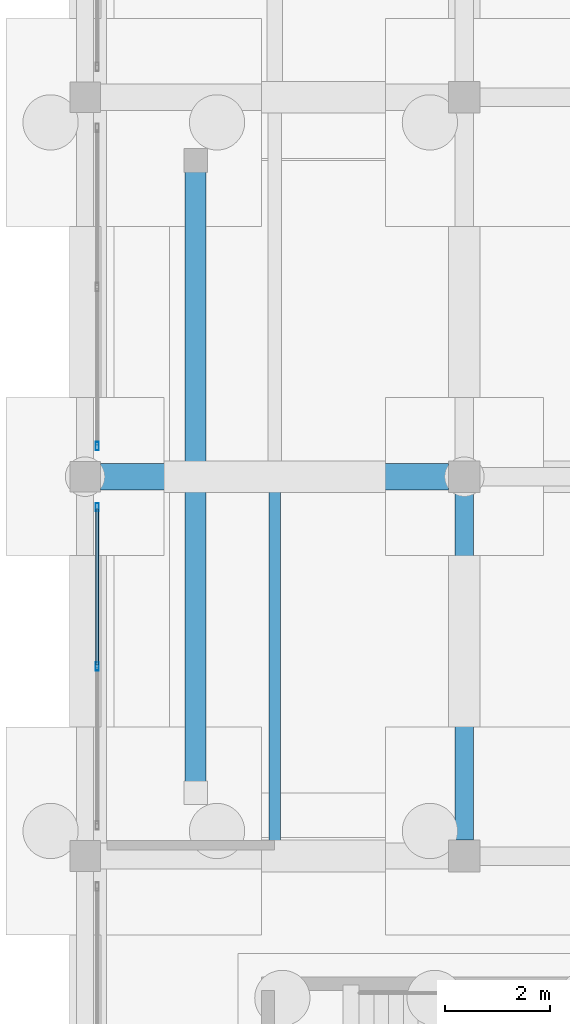
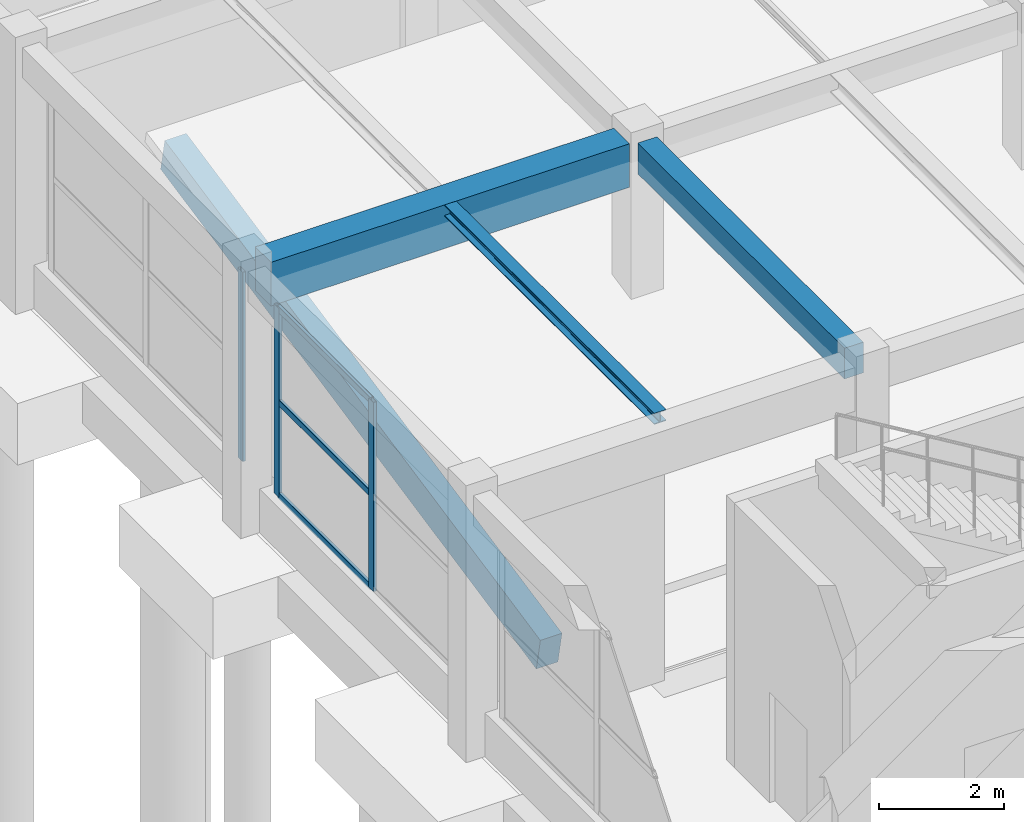
# One storey, part 50 of 91: 6 members, 4 beams, 2 elements without a shape of their own.
"""IFC4 building model written with IfcOpenShell, lengths in metres."""

from ifc_helpers import new_model, si_unit, direction, frame, origin, origin_2d, place, context, subcontext, project, spatial, rectangle, hollow_rectangle, i_section, extrude, material, material_profile, profile_set, type_object, element, aggregate, save


model = new_model("IFC4")

# Units and contexts
model_context = context("Model", 3, precision=1e-05, world=origin(), true_north=direction((0.0, 1.0)))
body_context = subcontext(model_context, "Body", "Model", "MODEL_VIEW")
ifc_project = project(units=[si_unit("LENGTHUNIT", "METRE"), si_unit("AREAUNIT", "SQUARE_METRE"), si_unit("VOLUMEUNIT", "CUBIC_METRE"), si_unit("PLANEANGLEUNIT", "RADIAN"), si_unit("MASSUNIT", "GRAM", prefix="KILO")], contexts=[model_context])

# Site, building, storey
site_placement = place(None, origin())
site = spatial("IfcSite", under=ifc_project, at=site_placement, CompositionType="ELEMENT")
building_placement = place(site_placement, origin())
building = spatial("IfcBuilding", under=site, at=building_placement, Name="Bramveld Media Centre", CompositionType="ELEMENT")
storey_placement = place(building_placement, origin())
storey = spatial("IfcBuildingStorey", under=building, at=storey_placement, Name="L00", CompositionType="ELEMENT", Elevation=0.0)

# Beams
ifc_material_1 = material(Name="Concrete C40/50", Category="concrete")
ifc_material_profile_1 = material_profile(ifc_material_1, rectangle(XDim=0.35009765625, YDim=0.60009765625, at=origin_2d()), Name="RC 350x600")
ifc_profile_set_1 = profile_set([ifc_material_profile_1], Name="Concrete C40/50")
beam_type_1 = type_object("IfcBeamType", Name="BM-INT-RC-350x600", PredefinedType="BEAM", material=ifc_profile_set_1)
beam_1_placement = place(storey_placement, frame((138.39990234375, 46.699951171875, 4.860107421875), z_axis=(0.0, 1.0, 0.0), x_axis=(-1.0, 0.0, 0.0)))
element("IfcBeam", 1, at=beam_1_placement, inside=storey, type_object=beam_type_1, Name="V4 L00 girder Y-481", PredefinedType="BEAM", context=body_context, shape_type="SweptSolid", body=[
    extrude(rectangle(XDim=0.35009765625, YDim=0.60009765625, at=origin_2d()), origin(), (0.0, 0.0, 1.0), 6.60009765625),
])
ifc_material_2 = material(Name="Concrete C40/50", Category="concrete")
ifc_material_profile_2 = material_profile(ifc_material_2, rectangle(XDim=0.39990234375, YDim=0.64990234375, at=origin_2d()), Name="RC 400x650")
ifc_profile_set_2 = profile_set([ifc_material_profile_2], Name="Concrete C40/50")
beam_type_2 = type_object("IfcBeamType", Name="BM-INT-RC-400x650", PredefinedType="BEAM", material=ifc_profile_set_2)
beam_2_placement = place(storey_placement, frame((133.300048828125, 47.60009765625, 0.43505859375), z_axis=(0.0, 0.979466997448, 0.201604565698), x_axis=(-1.0, 0.0, 0.0)))
element("IfcBeam", 2, at=beam_2_placement, inside=storey, type_object=beam_type_2, Name="Screen 7 Raked Seating Slab raker beam 1", PredefinedType="BEAM", context=body_context, shape_type="SweptSolid", body=[
    extrude(rectangle(XDim=0.39990234375, YDim=0.64990234375, at=origin_2d()), origin(), (0.0, 0.0, 1.0), 12.25146484375),
])
ifc_material_3 = material(Name="Concrete C40/50", Category="concrete")
ifc_material_profile_3 = material_profile(ifc_material_3, rectangle(XDim=0.5, YDim=0.85009765625, at=origin_2d()), Name="RC 500x850")
ifc_profile_set_3 = profile_set([ifc_material_profile_3], Name="Concrete C40/50")
beam_type_3 = type_object("IfcBeamType", Name="BM-INT-RC-500x850", PredefinedType="BEAM", material=ifc_profile_set_3)
beam_3_placement = place(storey_placement, frame((131.489990234375, 53.60009765625, 4.735107421875), z_axis=(1.0, 0.0, 0.0), x_axis=(0.0, 1.0, 0.0)))
element("IfcBeam", 3, at=beam_3_placement, inside=storey, type_object=beam_type_3, Name="V4 L00 girder X-462", PredefinedType="BEAM", context=body_context, shape_type="SweptSolid", body=[
    extrude(rectangle(XDim=0.5, YDim=0.85009765625, at=origin_2d()), origin(), (0.0, 0.0, 1.0), 6.610107421875),
])

# Curtain wall, members
ifc_material_4 = material(Name="Thermally broken anodized bronze aluminium unitized curtain wall with solar-control triple glazing", Category="aluminium")
curtain_wall_type = type_object("IfcCurtainWallType", Name="CW-FACV4-6100x3690", PredefinedType="NOTDEFINED", material=ifc_material_4)
curtain_wall_1_placement = place(storey_placement, origin())
curtain_wall_1 = element("IfcCurtainWall", 4, at=curtain_wall_1_placement, inside=storey, type_object=curtain_wall_type, Name="V4 L00 W curtain wall bay 2", PredefinedType="NOTDEFINED")
ifc_material_5 = material(Name="Thermally broken anodized bronze aluminium EN AW-6063 T6 curtain-wall framing", Category="aluminium")
ifc_material_profile_4 = material_profile(ifc_material_5, hollow_rectangle(XDim=0.06005859375, YDim=0.159912109375, WallThickness=0.00390625, InnerFilletRadius=0.00390625, OuterFilletRadius=0.008056640625, at=origin_2d()), Name="AL-MULL 60x160")
ifc_profile_set_4 = profile_set([ifc_material_profile_4], Name="Thermally broken anodized bronze aluminium EN AW-6063 T6 curtain-wall framing")
member_type_1 = type_object("IfcMemberType", Name="CW-MULL-EXT", PredefinedType="MULLION", material=ifc_profile_set_4)
member_1_placement = place(storey_placement, frame((131.429931640625, 50.0, 0.85009765625), z_axis=(0.0, 0.0, 1.0), x_axis=(-1.0, 0.0, 0.0)))
member_1 = element("IfcMember", 5, at=member_1_placement, type_object=member_type_1, Name="CW-FA-6136 mullion 2", PredefinedType="MULLION", context=body_context, shape_type="SweptSolid", body=[
    extrude(hollow_rectangle(XDim=0.06005859375, YDim=0.159912109375, WallThickness=0.00390625, InnerFilletRadius=0.00390625, OuterFilletRadius=0.008056640625, at=origin_2d()), origin(), (0.0, 0.0, 1.0), 3.68994140625),
])
member_2_placement = place(storey_placement, frame((131.429931640625, 53.02001953125, 0.85009765625), z_axis=(0.0, 0.0, 1.0), x_axis=(-1.0, 0.0, 0.0)))
member_2 = element("IfcMember", 6, at=member_2_placement, type_object=member_type_1, Name="CW-FA-6136 mullion 3", PredefinedType="MULLION", context=body_context, shape_type="SweptSolid", body=[
    extrude(hollow_rectangle(XDim=0.06005859375, YDim=0.159912109375, WallThickness=0.00390625, InnerFilletRadius=0.00390625, OuterFilletRadius=0.008056640625, at=origin_2d()), origin(), (0.0, 0.0, 1.0), 3.68994140625),
])

# Curtain wall, member
curtain_wall_2_placement = place(storey_placement, origin())
curtain_wall_2 = element("IfcCurtainWall", 7, at=curtain_wall_2_placement, inside=storey, type_object=curtain_wall_type, Name="V4 L00 W curtain wall bay 3", PredefinedType="NOTDEFINED")
member_3_placement = place(storey_placement, frame((131.429931640625, 54.179931640625, 0.85009765625), z_axis=(0.0, 0.0, 1.0), x_axis=(-1.0, 0.0, 0.0)))
member_3 = element("IfcMember", 8, at=member_3_placement, type_object=member_type_1, Name="CW-FA-6136 mullion 1", PredefinedType="MULLION", context=body_context, shape_type="SweptSolid", body=[
    extrude(hollow_rectangle(XDim=0.06005859375, YDim=0.159912109375, WallThickness=0.00390625, InnerFilletRadius=0.00390625, OuterFilletRadius=0.008056640625, at=origin_2d()), origin(), (0.0, 0.0, 1.0), 3.68994140625),
])
aggregate(curtain_wall_2, [member_3])

# Member
ifc_material_6 = material(Name="Thermally broken anodized bronze aluminium EN AW-6063 T6 curtain-wall framing", Category="aluminium")
ifc_material_profile_5 = material_profile(ifc_material_6, hollow_rectangle(XDim=0.06005859375, YDim=0.1201171875, WallThickness=0.00341796875, InnerFilletRadius=0.00341796875, OuterFilletRadius=0.007080078125, at=origin_2d()), Name="AL-TRAN 60x120")
ifc_profile_set_5 = profile_set([ifc_material_profile_5], Name="Thermally broken anodized bronze aluminium EN AW-6063 T6 curtain-wall framing")
member_type_2 = type_object("IfcMemberType", Name="CW-TRAN-EXT", PredefinedType="USERDEFINED", material=ifc_profile_set_5)
member_4_placement = place(storey_placement, frame((131.429931640625, 50.030029296875, 0.8798828125), z_axis=(0.0, 1.0, 0.0), x_axis=(-1.0, 0.0, 0.0)))
member_4 = element("IfcMember", 9, at=member_4_placement, type_object=member_type_2, Name="CW-FA-6136 transom 2.1", ObjectType="TRANSOM", PredefinedType="USERDEFINED", context=body_context, shape_type="SweptSolid", body=[
    extrude(hollow_rectangle(XDim=0.06005859375, YDim=0.1201171875, WallThickness=0.00341796875, InnerFilletRadius=0.00341796875, OuterFilletRadius=0.007080078125, at=origin_2d()), origin(), (0.0, 0.0, 1.0), 2.9599609375),
])

member_5_placement = place(storey_placement, frame((131.429931640625, 50.030029296875, 2.695068359375), z_axis=(0.0, 1.0, 0.0), x_axis=(-1.0, 0.0, 0.0)))
member_5 = element("IfcMember", 10, at=member_5_placement, type_object=member_type_2, Name="CW-FA-6136 transom 2.2", ObjectType="TRANSOM", PredefinedType="USERDEFINED", context=body_context, shape_type="SweptSolid", body=[
    extrude(hollow_rectangle(XDim=0.06005859375, YDim=0.1201171875, WallThickness=0.00341796875, InnerFilletRadius=0.00341796875, OuterFilletRadius=0.007080078125, at=origin_2d()), origin(), (0.0, 0.0, 1.0), 2.9599609375),
])

member_6_placement = place(storey_placement, frame((131.429931640625, 50.030029296875, 4.510009765625), z_axis=(0.0, 1.0, 0.0), x_axis=(-1.0, 0.0, 0.0)))
member_6 = element("IfcMember", 11, at=member_6_placement, type_object=member_type_2, Name="CW-FA-6136 transom 2.3", ObjectType="TRANSOM", PredefinedType="USERDEFINED", context=body_context, shape_type="SweptSolid", body=[
    extrude(hollow_rectangle(XDim=0.06005859375, YDim=0.1201171875, WallThickness=0.00341796875, InnerFilletRadius=0.00341796875, OuterFilletRadius=0.007080078125, at=origin_2d()), origin(), (0.0, 0.0, 1.0), 2.9599609375),
])

aggregate(curtain_wall_1, [member_1, member_2, member_4, member_5, member_6])

# Beam
ifc_material_7 = material(Name="Steel S355J2", Category="steel")
ifc_material_profile_6 = material_profile(ifc_material_7, i_section(OverallWidth=0.219970703125, OverallDepth=0.219970703125, WebThickness=0.009521484375, FlangeThickness=0.01611328125, FilletRadius=0.01806640625, at=origin_2d()), Name="HEB 220")
ifc_profile_set_6 = profile_set([ifc_material_profile_6], Name="Steel S355J2")
beam_type_4 = type_object("IfcBeamType", Name="SBM-INT-HEB-220", PredefinedType="BEAM", material=ifc_profile_set_6)
beam_4_placement = place(storey_placement, frame((134.800048828125, 46.64990234375, 5.050048828125), z_axis=(0.0, 1.0, 0.0), x_axis=(-1.0, 0.0, 0.0)))
element("IfcBeam", 12, at=beam_4_placement, inside=storey, type_object=beam_type_4, Name="V4 L00 secondary floor joist 499", PredefinedType="BEAM", context=body_context, shape_type="SweptSolid", body=[
    extrude(i_section(OverallWidth=0.219970703125, OverallDepth=0.219970703125, WebThickness=0.009521484375, FlangeThickness=0.01611328125, FilletRadius=0.01806640625, at=origin_2d()), origin(), (0.0, 0.0, 1.0), 6.7001953125),
])

save(model, "model.ifc")
